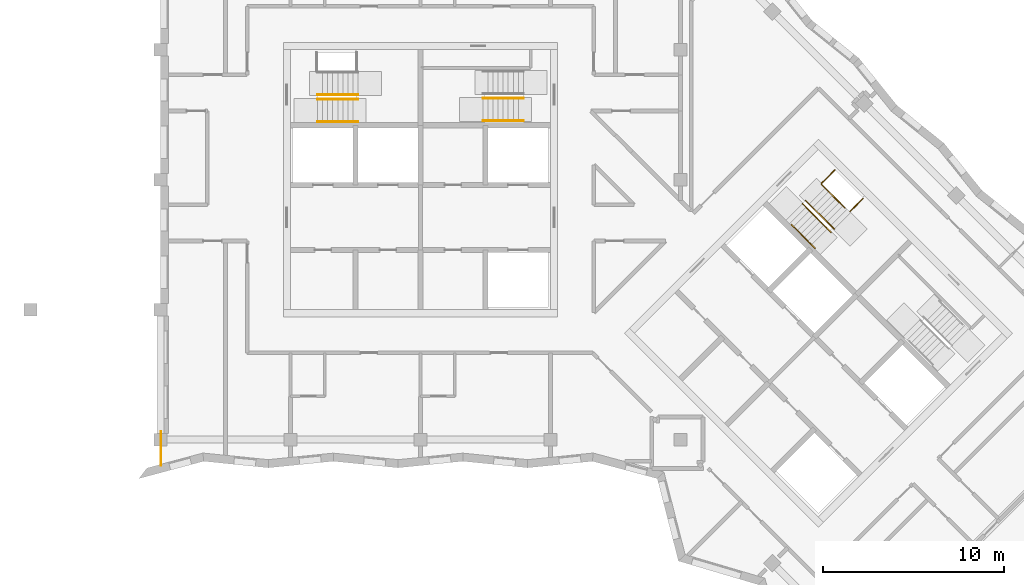
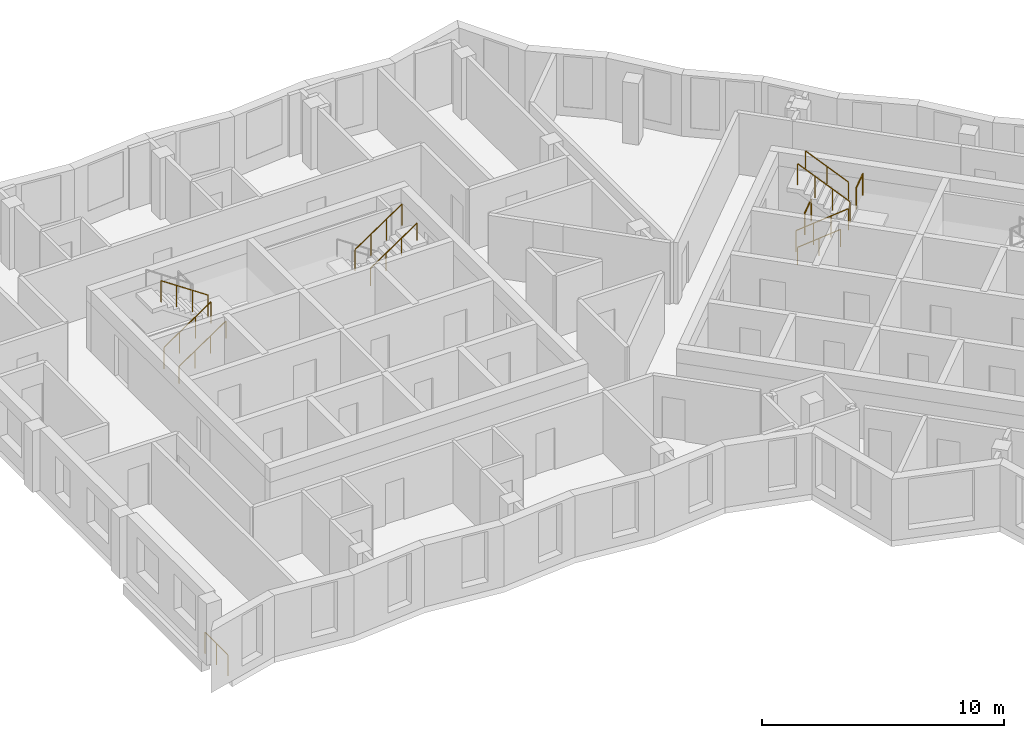
# One storey, part 9 of 12: 12 railings.
"""IFC4 building model written with IfcOpenShell, lengths in metres."""

import ifcopenshell
import ifcopenshell.guid

model = None  # the IFC model being written
_history = None  # IfcOwnerHistory: only IFC2X3 demands one
_inside = {}  # id of a spatial element -> (the spatial element, [elements in it])
_under = {}  # id of a project, library or spatial element -> (it, [spatial elements below it])
_declared = {}  # id of a project -> (the project, [libraries it declares])
_typed = {}  # id of a type object -> (the type object, [elements of that type])
_made_of = {}  # id of a material, layer set ... -> (it, [elements and type objects made of it])


def new_model(schema):
    """Start an empty IFC model of exactly this schema.

    Asked for "IFC4X3", IfcOpenShell would pick the latest addendum, in which some entities
    have other attributes; the version numbers below select the first issue.
    IFC2X3 requires an IfcOwnerHistory on every rooted entity: one is made here for all.
    """
    global model, _history
    if schema == "IFC4X3":
        model = ifcopenshell.file(schema_version=(4, 3, 0, 0))
    else:
        model = ifcopenshell.file(schema=schema)
    _inside.clear()
    _under.clear()
    _declared.clear()
    _typed.clear()
    _made_of.clear()
    _history = None
    if model.schema == "IFC2X3":
        org = make("IfcOrganization", Name="unknown")
        user = make(
            "IfcPersonAndOrganization",
            ThePerson=make("IfcPerson", FamilyName="unknown"),
            TheOrganization=org,
        )
        app = make(
            "IfcApplication",
            ApplicationDeveloper=org,
            Version="unknown",
            ApplicationFullName="unknown",
            ApplicationIdentifier="unknown",
        )
        _history = make(
            "IfcOwnerHistory",
            OwningUser=user,
            OwningApplication=app,
            ChangeAction="ADDED",
            CreationDate=0,
        )
    return model


def make(cls, **values):
    """One entity of the class cls with the attributes given. An attribute that is None is left unset."""
    return model.create_entity(
        cls, **{name: value for name, value in values.items() if value is not None}
    )


def rooted(cls, **values):
    """An entity with a GlobalId (a new one), such as an element, a storey or a relation."""
    return make(cls, GlobalId=ifcopenshell.guid.new(), OwnerHistory=_history, **values)


def si_unit(unit_type, name, prefix=None):
    """IfcSIUnit, for example si_unit("LENGTHUNIT", "METRE", prefix="MILLI")."""
    return make("IfcSIUnit", UnitType=unit_type, Prefix=prefix, Name=name)


def assignment(units):
    """IfcUnitAssignment: the units of a project."""
    return None if units is None else make("IfcUnitAssignment", Units=units)


def point(xyz):
    """IfcCartesianPoint."""
    return None if xyz is None else make("IfcCartesianPoint", Coordinates=xyz)


def direction(xyz):
    """IfcDirection."""
    return None if xyz is None else make("IfcDirection", DirectionRatios=xyz)


def frame(location, z_axis=None, x_axis=None):
    """IfcAxis2Placement3D, a coordinate frame: its origin and axes. An axis left out is left unset."""
    return make(
        "IfcAxis2Placement3D",
        Location=point(location),
        Axis=direction(z_axis),
        RefDirection=direction(x_axis),
    )


def frame_2d(location, x_axis=None):
    """IfcAxis2Placement2D, a coordinate frame in the plane: its origin and x axis."""
    return make(
        "IfcAxis2Placement2D", Location=point(location), RefDirection=direction(x_axis)
    )


def origin():
    """The frame at (0, 0, 0) with its axes left unset."""
    return frame((0.0, 0.0, 0.0))


def origin_2d():
    """The frame at (0, 0) in the plane with its x axis left unset."""
    return frame_2d((0.0, 0.0))


def place(relative_to, where):
    """IfcLocalPlacement: puts the frame where relative to a parent placement (None: the world)."""
    return make(
        "IfcLocalPlacement", PlacementRelTo=relative_to, RelativePlacement=where
    )


def context(
    kind, dimensions, precision=None, world=None, true_north=None, identifier=None
):
    """IfcGeometricRepresentationContext, for example the 3D "Model" context."""
    return make(
        "IfcGeometricRepresentationContext",
        ContextIdentifier=identifier,
        ContextType=kind,
        CoordinateSpaceDimension=dimensions,
        Precision=precision,
        WorldCoordinateSystem=world,
        TrueNorth=true_north,
    )


def subcontext(parent, identifier, kind, view, scale=None):
    """IfcGeometricRepresentationSubContext, for example "Body" below "Model"."""
    return make(
        "IfcGeometricRepresentationSubContext",
        ContextIdentifier=identifier,
        ContextType=kind,
        ParentContext=parent,
        TargetScale=scale,
        TargetView=view,
    )


def project(units=None, contexts=None):
    """IfcProject with its units and contexts."""
    return rooted(
        "IfcProject",
        Name="project",
        RepresentationContexts=contexts,
        UnitsInContext=assignment(units),
    )


def spatial(cls, under=None, at=None, **own):
    """A site, building, storey or space (cls), placed at a placement, below another one or the project."""
    s = rooted(cls, ObjectPlacement=at, **own)
    if under is not None:
        _under.setdefault(under.id(), (under, []))[1].append(s)
    return s


def profile(cls, at=None, kind="AREA", **sizes):
    """A parametric profile (cls). Its sizes go by their IFC names, for example OverallWidth=200.0."""
    return make(cls, ProfileType=kind, Position=at, **sizes)


def circle(**sizes):
    """IfcCircleProfileDef."""
    return profile("IfcCircleProfileDef", **sizes)


def extrude(swept, where, along, depth):
    """IfcExtrudedAreaSolid: the profile swept, set in the frame where, extruded along a direction by depth."""
    return make(
        "IfcExtrudedAreaSolid",
        SweptArea=swept,
        Position=where,
        ExtrudedDirection=direction(along),
        Depth=depth,
    )


def shape(context_of_items, identifier, shape_type, items):
    """IfcShapeRepresentation: the items that make up one representation, for example the "Body"."""
    return make(
        "IfcShapeRepresentation",
        ContextOfItems=context_of_items,
        RepresentationIdentifier=identifier,
        RepresentationType=shape_type,
        Items=items,
    )


def material(Name=None, Category=None):
    """IfcMaterial."""
    return make("IfcMaterial", Name=Name, Category=Category)


def made_of(thing, what):
    """Note that an element or type object is made of a material, layer set ...; save() writes the relation."""
    if what is not None:
        _made_of.setdefault(what.id(), (what, []))[1].append(thing)
    return thing


def type_object(cls, material=None, **own):
    """A type object (cls), such as IfcWallType, which elements share."""
    return made_of(rooted(cls, **own), material)


def element(
    cls,
    number,
    at=None,
    inside=None,
    cuts=None,
    type_object=None,
    material=None,
    context=None,
    identifier="Body",
    shape_type=None,
    held_by="IfcProductDefinitionShape",
    body=None,
    shapes=None,
    **own,
):
    """One element of the class cls, such as IfcWall. Its Tag is "e" and its number.

    at: its placement. inside: the storey or other place that contains it. cuts: it is an
    opening in that element (IfcRelVoidsElement). A single representation is given by context,
    identifier, shape_type and body (its items); several are given by shapes. held_by: the class
    of the entity that holds the representations. save() writes the other relations.
    """
    e = rooted(cls, Tag="e%d" % number, ObjectPlacement=at, **own)
    if body is not None:
        shapes = [shape(context, identifier, shape_type, body)]
    if shapes is not None:
        e.Representation = make(held_by, Representations=shapes)
    if inside is not None:
        _inside.setdefault(inside.id(), (inside, []))[1].append(e)
    if cuts is not None:
        rooted(
            "IfcRelVoidsElement", RelatingBuildingElement=cuts, RelatedOpeningElement=e
        )
    if type_object is not None:
        _typed.setdefault(type_object.id(), (type_object, []))[1].append(e)
    return made_of(e, material)


def aggregate(whole, parts):
    """IfcRelAggregates: a whole, such as a stair, and the parts it consists of."""
    return rooted("IfcRelAggregates", RelatingObject=whole, RelatedObjects=parts)


def save(model, path):
    """Write the relations noted so far, then the file.

    IfcRelAggregates (storeys below a building ...), IfcRelContainedInSpatialStructure (elements
    in a storey), IfcRelDefinesByType, IfcRelAssociatesMaterial and IfcRelDeclares: one each for
    every whole, place, type object, material and project.
    """
    for whole, parts in _under.values():
        aggregate(whole, parts)
    for where, things in _inside.values():
        rooted(
            "IfcRelContainedInSpatialStructure",
            RelatedElements=things,
            RelatingStructure=where,
        )
    for kind, things in _typed.values():
        rooted("IfcRelDefinesByType", RelatedObjects=things, RelatingType=kind)
    for what, things in _made_of.values():
        rooted("IfcRelAssociatesMaterial", RelatedObjects=things, RelatingMaterial=what)
    for by, libraries in _declared.values():
        rooted("IfcRelDeclares", RelatingContext=by, RelatedDefinitions=libraries)
    model.write(path)


model = new_model("IFC4")

# Units and contexts
model_context = context("Model", 3, precision=1e-05, world=origin(), true_north=direction((0.0, 1.0)))
body_context = subcontext(model_context, "Body", "Model", "MODEL_VIEW")
ifc_project = project(units=[si_unit("LENGTHUNIT", "METRE"), si_unit("AREAUNIT", "SQUARE_METRE"), si_unit("VOLUMEUNIT", "CUBIC_METRE"), si_unit("PLANEANGLEUNIT", "RADIAN"), si_unit("MASSUNIT", "GRAM", prefix="KILO")], contexts=[model_context])

# Site, building, storey
site_placement = place(None, origin())
site = spatial("IfcSite", under=ifc_project, at=site_placement, CompositionType="ELEMENT")
building_placement = place(site_placement, origin())
building = spatial("IfcBuilding", under=site, at=building_placement, Name="Windrow Commons", CompositionType="ELEMENT")
storey_placement = place(building_placement, frame((0.0, 0.0, 250.6)))
storey = spatial("IfcBuildingStorey", under=building, at=storey_placement, Name="L68", CompositionType="ELEMENT", Elevation=250.6)

# Railings
ifc_material_1 = material(Name="Steel S355", Category="steel")
railing_type_1 = type_object("IfcRailingType", Name="Core stair guard 1100", PredefinedType="GUARDRAIL", material=ifc_material_1)
railing_1_placement = place(storey_placement, frame((59.1, 62.05, 0.1889)))
element("IfcRailing", 1, at=railing_1_placement, inside=storey, type_object=railing_type_1, Name="L68 ST-A1 stair guard 1", PredefinedType="GUARDRAIL", context=body_context, shape_type="SweptSolid", body=[
    extrude(circle(Radius=0.024, at=origin_2d()), frame((0.0, 0.0, 1.076), z_axis=(0.8290030985, 0.0, 0.5592440099), x_axis=(0.0, 1.0, 0.0)), (0.0, 0.0, 1.0), 2.702),
    extrude(circle(Radius=0.021, at=origin_2d()), origin(), (0.0, 0.0, 1.0), 1.052),
    extrude(circle(Radius=0.021, at=origin_2d()), frame((0.7467, 0.0, 0.5037)), (0.0, 0.0, 1.0), 1.052),
    extrude(circle(Radius=0.021, at=origin_2d()), frame((1.4933, 0.0, 1.0074)), (0.0, 0.0, 1.0), 1.052),
    extrude(circle(Radius=0.021, at=origin_2d()), frame((2.24, 0.0, 1.5111)), (0.0, 0.0, 1.0), 1.052),
])
railing_2_placement = place(storey_placement, frame((61.34, 62.3, 1.8889)))
element("IfcRailing", 2, at=railing_2_placement, inside=storey, type_object=railing_type_1, Name="L68 ST-A1 stair guard 2", PredefinedType="GUARDRAIL", context=body_context, shape_type="SweptSolid", body=[
    extrude(circle(Radius=0.024, at=origin_2d()), frame((0.0, 0.0, 1.076), z_axis=(-0.8290030985, 0.0, 0.5592440099), x_axis=(0.0, -1.0, 0.0)), (0.0, 0.0, 1.0), 2.702),
    extrude(circle(Radius=0.021, at=origin_2d()), origin(), (0.0, 0.0, 1.0), 1.052),
    extrude(circle(Radius=0.021, at=origin_2d()), frame((-0.7467, 0.0, 0.5037)), (0.0, 0.0, 1.0), 1.052),
    extrude(circle(Radius=0.021, at=origin_2d()), frame((-1.4933, 0.0, 1.0074)), (0.0, 0.0, 1.0), 1.052),
    extrude(circle(Radius=0.021, at=origin_2d()), frame((-2.24, 0.0, 1.5111)), (0.0, 0.0, 1.0), 1.052),
])
railing_3_placement = place(storey_placement, frame((68.26, 62.105, 1.8889)))
element("IfcRailing", 3, at=railing_3_placement, inside=storey, type_object=railing_type_1, Name="L68 ST-A2 stair guard 2", PredefinedType="GUARDRAIL", context=body_context, shape_type="SweptSolid", body=[
    extrude(circle(Radius=0.024, at=origin_2d()), frame((0.0, 0.0, 1.076), z_axis=(0.8290030985, 0.0, 0.5592440099), x_axis=(0.0, 1.0, 0.0)), (0.0, 0.0, 1.0), 2.702),
    extrude(circle(Radius=0.021, at=origin_2d()), origin(), (0.0, 0.0, 1.0), 1.052),
    extrude(circle(Radius=0.021, at=origin_2d()), frame((0.7467, 0.0, 0.5037)), (0.0, 0.0, 1.0), 1.052),
    extrude(circle(Radius=0.021, at=origin_2d()), frame((1.4933, 0.0, 1.0074)), (0.0, 0.0, 1.0), 1.052),
    extrude(circle(Radius=0.021, at=origin_2d()), frame((2.24, 0.0, 1.5111)), (0.0, 0.0, 1.0), 1.052),
])
railing_4_placement = place(storey_placement, frame((85.9529, 56.2669, 0.1889)))
element("IfcRailing", 4, at=railing_4_placement, inside=storey, type_object=railing_type_1, Name="L68 ST-B1 stair guard 1", PredefinedType="GUARDRAIL", context=body_context, shape_type="SweptSolid", body=[
    extrude(circle(Radius=0.024, at=origin_2d()), frame((0.0, 0.0, 1.076), z_axis=(0.5861914914, -0.5861914914, 0.5592486664), x_axis=(0.7071067812, 0.7071067812, 0.0)), (0.0, 0.0, 1.0), 2.702),
    extrude(circle(Radius=0.021, at=origin_2d()), origin(), (0.0, 0.0, 1.0), 1.052),
    extrude(circle(Radius=0.021, at=origin_2d()), frame((0.528, -0.528, 0.5037)), (0.0, 0.0, 1.0), 1.052),
    extrude(circle(Radius=0.021, at=origin_2d()), frame((1.0559, -1.0559, 1.0074)), (0.0, 0.0, 1.0), 1.052),
    extrude(circle(Radius=0.021, at=origin_2d()), frame((1.5839, -1.5839, 1.5111)), (0.0, 0.0, 1.0), 1.052),
])
railing_5_placement = place(storey_placement, frame((87.7136, 54.8597, 1.8889)))
element("IfcRailing", 5, at=railing_5_placement, inside=storey, type_object=railing_type_1, Name="L68 ST-B1 stair guard 2", PredefinedType="GUARDRAIL", context=body_context, shape_type="SweptSolid", body=[
    extrude(circle(Radius=0.024, at=origin_2d()), frame((0.0, 0.0, 1.076), z_axis=(-0.5862030657, 0.5862030657, 0.5592244018), x_axis=(-0.7071067812, -0.7071067812, 0.0)), (0.0, 0.0, 1.0), 2.7021),
    extrude(circle(Radius=0.021, at=origin_2d()), origin(), (0.0, 0.0, 1.0), 1.052),
    extrude(circle(Radius=0.021, at=origin_2d()), frame((-0.528, 0.528, 0.5037)), (0.0, 0.0, 1.0), 1.052),
    extrude(circle(Radius=0.021, at=origin_2d()), frame((-1.056, 1.056, 1.0074)), (0.0, 0.0, 1.0), 1.052),
    extrude(circle(Radius=0.021, at=origin_2d()), frame((-1.584, 1.584, 1.5111)), (0.0, 0.0, 1.0), 1.052),
])
railing_6_placement = place(storey_placement, frame((87.0135, 57.3982, 0.0)))
element("IfcRailing", 6, at=railing_6_placement, inside=storey, type_object=railing_type_1, Name="L68 ST-B1 stair guard 3", PredefinedType="GUARDRAIL", context=body_context, shape_type="SweptSolid", body=[
    extrude(circle(Radius=0.024, at=origin_2d()), frame((0.0, 0.0, 1.076), z_axis=(0.7070582378, 0.7071553212, 0.0), x_axis=(-0.7071553212, 0.7070582378, 0.0)), (0.0, 0.0, 1.0), 1.03),
    extrude(circle(Radius=0.021, at=origin_2d()), origin(), (0.0, 0.0, 1.0), 1.052),
    extrude(circle(Radius=0.021, at=origin_2d()), frame((0.7283, 0.7284, 0.0)), (0.0, 0.0, 1.0), 1.052),
])
railing_7_placement = place(storey_placement, frame((88.5833, 55.8285, 1.7)))
element("IfcRailing", 7, at=railing_7_placement, inside=storey, type_object=railing_type_1, Name="L68 ST-B1 stair guard 4", PredefinedType="GUARDRAIL", context=body_context, shape_type="SweptSolid", body=[
    extrude(circle(Radius=0.024, at=origin_2d()), frame((0.0, 0.0, 1.076), z_axis=(0.7071067812, 0.7071067812, 0.0), x_axis=(-0.7071067812, 0.7071067812, 0.0)), (0.0, 0.0, 1.0), 1.03),
    extrude(circle(Radius=0.021, at=origin_2d()), origin(), (0.0, 0.0, 1.0), 1.052),
    extrude(circle(Radius=0.021, at=origin_2d()), frame((0.7283, 0.7283, 0.0)), (0.0, 0.0, 1.0), 1.052),
])
ifc_material_2 = material(Name="Steel S355", Category="steel")
railing_type_2 = type_object("IfcRailingType", Name="Core stair handrail 900", PredefinedType="HANDRAIL", material=ifc_material_2)
for number, where, name in (
    (8, (59.1, 60.8, 0.1889), "L68 ST-A1 stair handrail 1"),
    (9, (68.26, 60.855, 1.8889), "L68 ST-A2 stair handrail 2"),
):
    element("IfcRailing", number, at=place(storey_placement, frame(where)), inside=storey, type_object=railing_type_2, Name=name, PredefinedType="HANDRAIL", context=body_context, shape_type="SweptSolid", body=[
        extrude(circle(Radius=0.024, at=origin_2d()), frame((0.0, 0.0, 0.876), z_axis=(0.8290030985, 0.0, 0.5592440099), x_axis=(0.0, 1.0, 0.0)), (0.0, 0.0, 1.0), 2.702),
        extrude(circle(Radius=0.021, at=origin_2d()), origin(), (0.0, 0.0, 1.0), 0.852),
        extrude(circle(Radius=0.021, at=origin_2d()), frame((0.7467, 0.0, 0.5037)), (0.0, 0.0, 1.0), 0.852),
        extrude(circle(Radius=0.021, at=origin_2d()), frame((1.4933, 0.0, 1.0074)), (0.0, 0.0, 1.0), 0.852),
        extrude(circle(Radius=0.021, at=origin_2d()), frame((2.24, 0.0, 1.5111)), (0.0, 0.0, 1.0), 0.852),
    ])
railing_8_placement = place(storey_placement, frame((85.3518, 55.1001, 0.4587)))
element("IfcRailing", 10, at=railing_8_placement, inside=storey, type_object=railing_type_2, Name="L68 ST-B1 stair handrail 1", PredefinedType="HANDRAIL", context=body_context, shape_type="SweptSolid", body=[
    extrude(circle(Radius=0.024, at=origin_2d()), frame((0.0, 0.0, 0.876), z_axis=(0.586206706, -0.5861616513, 0.5592639952), x_axis=(0.7070796062, 0.7071339551, 0.0)), (0.0, 0.0, 1.0), 2.2195),
    extrude(circle(Radius=0.021, at=origin_2d()), origin(), (0.0, 0.0, 1.0), 0.852),
    extrude(circle(Radius=0.021, at=origin_2d()), frame((0.6506, -0.6505, 0.6207)), (0.0, 0.0, 1.0), 0.852),
    extrude(circle(Radius=0.021, at=origin_2d()), frame((1.3011, -1.301, 1.2413)), (0.0, 0.0, 1.0), 0.852),
])
railing_9_placement = place(storey_placement, frame((88.3146, 56.0265, 2.1587)))
element("IfcRailing", 11, at=railing_9_placement, inside=storey, type_object=railing_type_2, Name="L68 ST-B1 stair handrail 2", PredefinedType="HANDRAIL", context=body_context, shape_type="SweptSolid", body=[
    extrude(circle(Radius=0.024, at=origin_2d()), frame((0.0, 0.0, 0.876), z_axis=(-0.586206706, 0.5861616513, 0.5592639952), x_axis=(-0.7070796062, -0.7071339551, 0.0)), (0.0, 0.0, 1.0), 2.2195),
    extrude(circle(Radius=0.021, at=origin_2d()), origin(), (0.0, 0.0, 1.0), 0.852),
    extrude(circle(Radius=0.021, at=origin_2d()), frame((-0.6506, 0.6505, 0.6206)), (0.0, 0.0, 1.0), 0.852),
    extrude(circle(Radius=0.021, at=origin_2d()), frame((-1.3011, 1.301, 1.2413)), (0.0, 0.0, 1.0), 0.852),
])
ifc_material_3 = material(Name="Stainless steel S316 balustrade with toughened glass infill", Category="steel")
railing_type_3 = type_object("IfcRailingType", Name="Terrace guard 1100", PredefinedType="BALUSTRADE", material=ifc_material_3)
railing_10_placement = place(storey_placement, frame((50.43, 41.7636, 0.0)))
element("IfcRailing", 12, at=railing_10_placement, inside=storey, type_object=railing_type_3, Name="Edge guard L68 1", PredefinedType="BALUSTRADE", context=body_context, shape_type="SweptSolid", body=[
    extrude(circle(Radius=0.025, at=origin_2d()), frame((0.0, 0.0, 1.075), z_axis=(0.0, 1.0, 0.0), x_axis=(-1.0, 0.0, 0.0)), (0.0, 0.0, 1.0), 1.8664),
    extrude(circle(Radius=0.02, at=origin_2d()), origin(), (0.0, 0.0, 1.0), 1.05),
    extrude(circle(Radius=0.02, at=origin_2d()), frame((0.0, 0.9332, 0.0)), (0.0, 0.0, 1.0), 1.05),
    extrude(circle(Radius=0.02, at=origin_2d()), frame((0.0, 1.8664, 0.0)), (0.0, 0.0, 1.0), 1.05),
])

save(model, "model.ifc")
